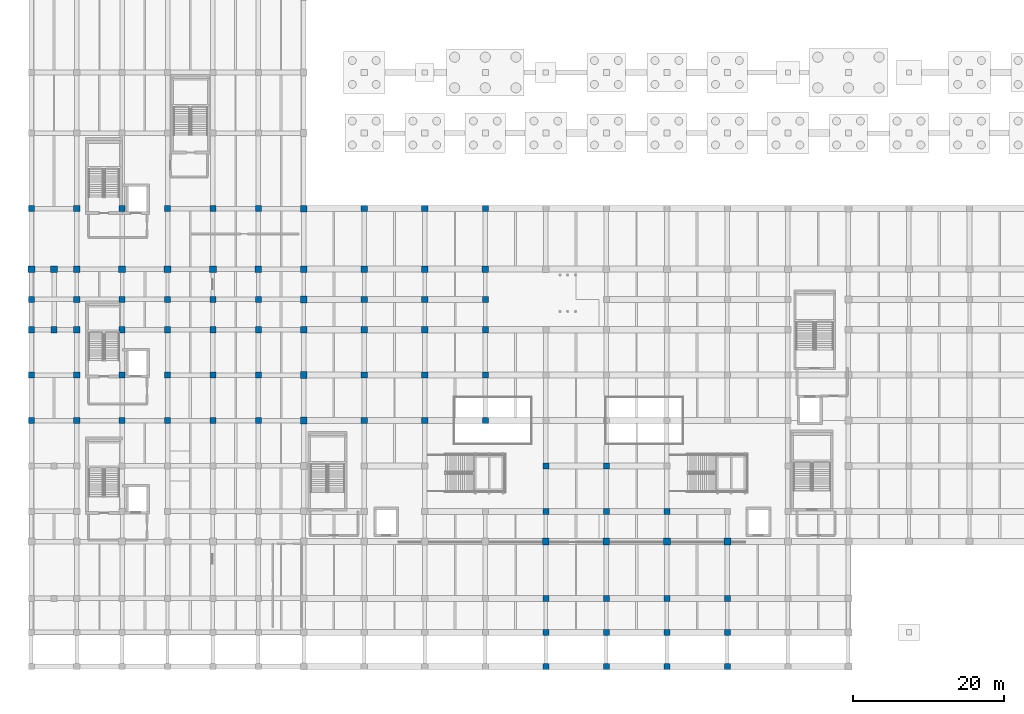
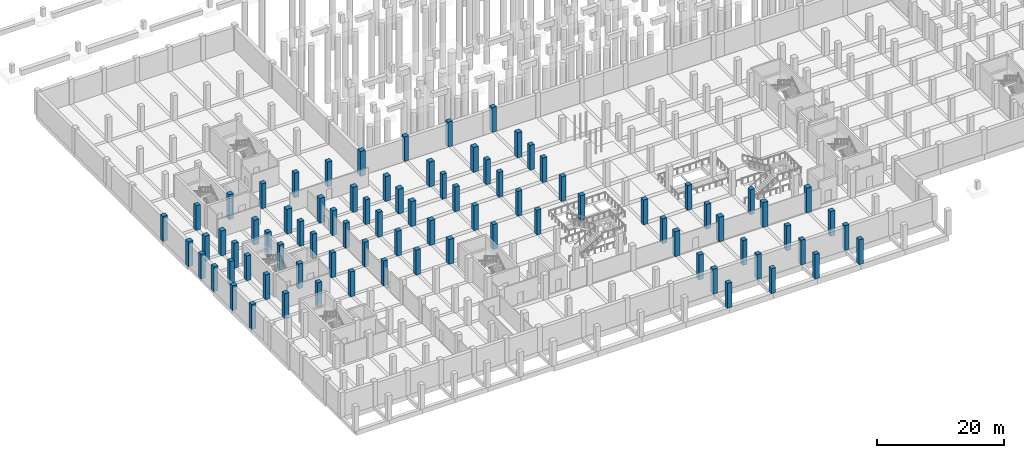
# One storey, part 6 of 36: 83 columns.
"""IFC4 building model written with IfcOpenShell, lengths in metres."""

import ifcopenshell
import ifcopenshell.guid

model = None  # the IFC model being written
_history = None  # IfcOwnerHistory: only IFC2X3 demands one
_inside = {}  # id of a spatial element -> (the spatial element, [elements in it])
_under = {}  # id of a project, library or spatial element -> (it, [spatial elements below it])
_declared = {}  # id of a project -> (the project, [libraries it declares])
_typed = {}  # id of a type object -> (the type object, [elements of that type])
_made_of = {}  # id of a material, layer set ... -> (it, [elements and type objects made of it])


def new_model(schema):
    """Start an empty IFC model of exactly this schema.

    Asked for "IFC4X3", IfcOpenShell would pick the latest addendum, in which some entities
    have other attributes; the version numbers below select the first issue.
    IFC2X3 requires an IfcOwnerHistory on every rooted entity: one is made here for all.
    """
    global model, _history
    if schema == "IFC4X3":
        model = ifcopenshell.file(schema_version=(4, 3, 0, 0))
    else:
        model = ifcopenshell.file(schema=schema)
    _inside.clear()
    _under.clear()
    _declared.clear()
    _typed.clear()
    _made_of.clear()
    _history = None
    if model.schema == "IFC2X3":
        org = make("IfcOrganization", Name="unknown")
        user = make(
            "IfcPersonAndOrganization",
            ThePerson=make("IfcPerson", FamilyName="unknown"),
            TheOrganization=org,
        )
        app = make(
            "IfcApplication",
            ApplicationDeveloper=org,
            Version="unknown",
            ApplicationFullName="unknown",
            ApplicationIdentifier="unknown",
        )
        _history = make(
            "IfcOwnerHistory",
            OwningUser=user,
            OwningApplication=app,
            ChangeAction="ADDED",
            CreationDate=0,
        )
    return model


def make(cls, **values):
    """One entity of the class cls with the attributes given. An attribute that is None is left unset."""
    return model.create_entity(
        cls, **{name: value for name, value in values.items() if value is not None}
    )


def rooted(cls, **values):
    """An entity with a GlobalId (a new one), such as an element, a storey or a relation."""
    return make(cls, GlobalId=ifcopenshell.guid.new(), OwnerHistory=_history, **values)


def si_unit(unit_type, name, prefix=None):
    """IfcSIUnit, for example si_unit("LENGTHUNIT", "METRE", prefix="MILLI")."""
    return make("IfcSIUnit", UnitType=unit_type, Prefix=prefix, Name=name)


def assignment(units):
    """IfcUnitAssignment: the units of a project."""
    return None if units is None else make("IfcUnitAssignment", Units=units)


def point(xyz):
    """IfcCartesianPoint."""
    return None if xyz is None else make("IfcCartesianPoint", Coordinates=xyz)


def direction(xyz):
    """IfcDirection."""
    return None if xyz is None else make("IfcDirection", DirectionRatios=xyz)


def frame(location, z_axis=None, x_axis=None):
    """IfcAxis2Placement3D, a coordinate frame: its origin and axes. An axis left out is left unset."""
    return make(
        "IfcAxis2Placement3D",
        Location=point(location),
        Axis=direction(z_axis),
        RefDirection=direction(x_axis),
    )


def frame_2d(location, x_axis=None):
    """IfcAxis2Placement2D, a coordinate frame in the plane: its origin and x axis."""
    return make(
        "IfcAxis2Placement2D", Location=point(location), RefDirection=direction(x_axis)
    )


def origin():
    """The frame at (0, 0, 0) with its axes left unset."""
    return frame((0.0, 0.0, 0.0))


def origin_2d():
    """The frame at (0, 0) in the plane with its x axis left unset."""
    return frame_2d((0.0, 0.0))


def place(relative_to, where):
    """IfcLocalPlacement: puts the frame where relative to a parent placement (None: the world)."""
    return make(
        "IfcLocalPlacement", PlacementRelTo=relative_to, RelativePlacement=where
    )


def context(
    kind, dimensions, precision=None, world=None, true_north=None, identifier=None
):
    """IfcGeometricRepresentationContext, for example the 3D "Model" context."""
    return make(
        "IfcGeometricRepresentationContext",
        ContextIdentifier=identifier,
        ContextType=kind,
        CoordinateSpaceDimension=dimensions,
        Precision=precision,
        WorldCoordinateSystem=world,
        TrueNorth=true_north,
    )


def subcontext(parent, identifier, kind, view, scale=None):
    """IfcGeometricRepresentationSubContext, for example "Body" below "Model"."""
    return make(
        "IfcGeometricRepresentationSubContext",
        ContextIdentifier=identifier,
        ContextType=kind,
        ParentContext=parent,
        TargetScale=scale,
        TargetView=view,
    )


def project(units=None, contexts=None):
    """IfcProject with its units and contexts."""
    return rooted(
        "IfcProject",
        Name="project",
        RepresentationContexts=contexts,
        UnitsInContext=assignment(units),
    )


def spatial(cls, under=None, at=None, **own):
    """A site, building, storey or space (cls), placed at a placement, below another one or the project."""
    s = rooted(cls, ObjectPlacement=at, **own)
    if under is not None:
        _under.setdefault(under.id(), (under, []))[1].append(s)
    return s


def profile(cls, at=None, kind="AREA", **sizes):
    """A parametric profile (cls). Its sizes go by their IFC names, for example OverallWidth=200.0."""
    return make(cls, ProfileType=kind, Position=at, **sizes)


def rectangle(**sizes):
    """IfcRectangleProfileDef."""
    return profile("IfcRectangleProfileDef", **sizes)


def extrude(swept, where, along, depth):
    """IfcExtrudedAreaSolid: the profile swept, set in the frame where, extruded along a direction by depth."""
    return make(
        "IfcExtrudedAreaSolid",
        SweptArea=swept,
        Position=where,
        ExtrudedDirection=direction(along),
        Depth=depth,
    )


def shape(context_of_items, identifier, shape_type, items):
    """IfcShapeRepresentation: the items that make up one representation, for example the "Body"."""
    return make(
        "IfcShapeRepresentation",
        ContextOfItems=context_of_items,
        RepresentationIdentifier=identifier,
        RepresentationType=shape_type,
        Items=items,
    )


def material(Name=None, Category=None):
    """IfcMaterial."""
    return make("IfcMaterial", Name=Name, Category=Category)


def material_profile(
    of_material, cross_section, Name=None, Category=None, Priority=None
):
    """IfcMaterialProfile: a cross section and its material."""
    return make(
        "IfcMaterialProfile",
        Name=Name,
        Material=of_material,
        Profile=cross_section,
        Priority=Priority,
        Category=Category,
    )


def profile_set(profiles, Name=None, composite=None):
    """IfcMaterialProfileSet."""
    return make(
        "IfcMaterialProfileSet",
        Name=Name,
        MaterialProfiles=profiles,
        CompositeProfile=composite,
    )


def made_of(thing, what):
    """Note that an element or type object is made of a material, layer set ...; save() writes the relation."""
    if what is not None:
        _made_of.setdefault(what.id(), (what, []))[1].append(thing)
    return thing


def type_object(cls, material=None, **own):
    """A type object (cls), such as IfcWallType, which elements share."""
    return made_of(rooted(cls, **own), material)


def element(
    cls,
    number,
    at=None,
    inside=None,
    cuts=None,
    type_object=None,
    material=None,
    context=None,
    identifier="Body",
    shape_type=None,
    held_by="IfcProductDefinitionShape",
    body=None,
    shapes=None,
    **own,
):
    """One element of the class cls, such as IfcWall. Its Tag is "e" and its number.

    at: its placement. inside: the storey or other place that contains it. cuts: it is an
    opening in that element (IfcRelVoidsElement). A single representation is given by context,
    identifier, shape_type and body (its items); several are given by shapes. held_by: the class
    of the entity that holds the representations. save() writes the other relations.
    """
    e = rooted(cls, Tag="e%d" % number, ObjectPlacement=at, **own)
    if body is not None:
        shapes = [shape(context, identifier, shape_type, body)]
    if shapes is not None:
        e.Representation = make(held_by, Representations=shapes)
    if inside is not None:
        _inside.setdefault(inside.id(), (inside, []))[1].append(e)
    if cuts is not None:
        rooted(
            "IfcRelVoidsElement", RelatingBuildingElement=cuts, RelatedOpeningElement=e
        )
    if type_object is not None:
        _typed.setdefault(type_object.id(), (type_object, []))[1].append(e)
    return made_of(e, material)


def aggregate(whole, parts):
    """IfcRelAggregates: a whole, such as a stair, and the parts it consists of."""
    return rooted("IfcRelAggregates", RelatingObject=whole, RelatedObjects=parts)


def save(model, path):
    """Write the relations noted so far, then the file.

    IfcRelAggregates (storeys below a building ...), IfcRelContainedInSpatialStructure (elements
    in a storey), IfcRelDefinesByType, IfcRelAssociatesMaterial and IfcRelDeclares: one each for
    every whole, place, type object, material and project.
    """
    for whole, parts in _under.values():
        aggregate(whole, parts)
    for where, things in _inside.values():
        rooted(
            "IfcRelContainedInSpatialStructure",
            RelatedElements=things,
            RelatingStructure=where,
        )
    for kind, things in _typed.values():
        rooted("IfcRelDefinesByType", RelatedObjects=things, RelatingType=kind)
    for what, things in _made_of.values():
        rooted("IfcRelAssociatesMaterial", RelatedObjects=things, RelatingMaterial=what)
    for by, libraries in _declared.values():
        rooted("IfcRelDeclares", RelatingContext=by, RelatedDefinitions=libraries)
    model.write(path)


model = new_model("IFC4")

# Units and contexts
model_context = context("Model", 3, precision=1e-05, world=origin(), true_north=direction((0.0, 1.0)))
body_context = subcontext(model_context, "Body", "Model", "MODEL_VIEW")
ifc_project = project(units=[si_unit("LENGTHUNIT", "METRE"), si_unit("AREAUNIT", "SQUARE_METRE"), si_unit("VOLUMEUNIT", "CUBIC_METRE"), si_unit("PLANEANGLEUNIT", "RADIAN"), si_unit("MASSUNIT", "GRAM", prefix="KILO")], contexts=[model_context])

# Site, building, storey
site_placement = place(None, origin())
site = spatial("IfcSite", under=ifc_project, at=site_placement, CompositionType="ELEMENT")
building_placement = place(site_placement, origin())
building = spatial("IfcBuilding", under=site, at=building_placement, Name="Verrall Gate Interchange", CompositionType="ELEMENT")
storey_placement = place(building_placement, frame((0.0, 0.0, -4.800048828125)))
storey = spatial("IfcBuildingStorey", under=building, at=storey_placement, Name="B1", CompositionType="ELEMENT", Elevation=-4.800048828125)

# Columns
ifc_material_1 = material(Name="Concrete CSA A23.1 40 MPa (Class N)", Category="concrete")
ifc_material_profile_1 = material_profile(ifc_material_1, rectangle(XDim=0.89990234375, YDim=0.89990234375, at=origin_2d()), Name="RC900x900")
ifc_profile_set_1 = profile_set([ifc_material_profile_1], Name="Concrete CSA A23.1 40 MPa (Class N)")
column_type_1 = type_object("IfcColumnType", Name="C-01 Column RC900x900", PredefinedType="COLUMN", material=ifc_profile_set_1)
for number, where, z_axis, x_axis, name in (
    (1, (0.0, 48.0, 0.0), (0.0, 0.0, 1.0), (1.0, 0.0, 0.0), "B1 Column COL-B1-0066 (C-01)"),
    (2, (3.0, 48.0, 0.0), (0.0, 0.0, 1.0), (1.0, 0.0, 0.0), "B1 Column COL-B1-0123 (C-01)"),
    (3, (6.0, 48.0, 0.0), (0.0, 0.0, 1.0), (1.0, 0.0, 0.0), "B1 Column COL-B1-0209 (C-01)"),
    (4, (12.0, 48.0, 0.0), (0.0, 0.0, 1.0), (1.0, 0.0, 0.0), "B1 Column COL-B1-0326 (C-01)"),
    (5, (18.0, 48.0, 0.0), (0.0, 0.0, 1.0), (1.0, 0.0, 0.0), "B1 Column COL-B1-0443 (C-01)"),
    (6, (24.0, 48.0, 0.0), (0.0, 0.0, 1.0), (1.0, 0.0, 0.0), "B1 Column COL-B1-0560 (C-01)"),
    (7, (30.0, 48.0, 0.0), (0.0, 0.0, 1.0), (1.0, 0.0, 0.0), "B1 Column COL-B1-0677 (C-01)"),
    (8, (36.0, 28.0, 0.0), (0.0, 0.0, 1.0), (1.0, 0.0, 0.0), "B1 Column COL-B1-0755 (C-01)"),
    (9, (36.0, 34.0, 0.0), (0.0, 0.0, 1.0), (1.0, 0.0, 0.0), "B1 Column COL-B1-0763 (C-01)"),
    (10, (36.0, 40.0, 0.0), (0.0, 0.0, 1.0), (1.0, 0.0, 0.0), "B1 Column COL-B1-0771 (C-01)"),
    (11, (36.0, 44.0, 0.0), (0.0, 0.0, 1.0), (1.0, 0.0, 0.0), "B1 Column COL-B1-0779 (C-01)"),
    (12, (36.0, 48.0, 0.0), (0.0, 0.0, 1.0), (1.0, 0.0, 0.0), "B1 Column COL-B1-0787 (C-01)"),
    (13, (36.0, 56.0, 0.0), (0.0, 0.0, 1.0), (1.0, 0.0, 0.0), "B1 Column COL-B1-0795 (C-01)"),
    (14, (44.0, 48.0, 0.0), (0.0, 0.0, 1.0), (1.0, 0.0, 0.0), "B1 Column COL-B1-0855 (C-01)"),
    (15, (52.0, 48.0, 0.0), (0.0, 0.0, 1.0), (1.0, 0.0, 0.0), "B1 Column COL-B1-0893 (C-01)"),
    (16, (60.0, 48.0, 0.0), (0.0, 0.0, 1.0), (1.0, 0.0, 0.0), "B1 Column COL-B1-0929 (C-01)"),
    (17, (68.0, 12.0, 0.0), (0.0, 0.0, 1.0), (1.0, 0.0, 0.0), "B1 Column COL-B1-0947 (C-01)"),
    (18, (76.0, 12.0, 0.0), (0.0, 0.0, 1.0), (1.0, 0.0, 0.0), "B1 Column COL-B1-0981 (C-01)"),
    (19, (84.0, 12.0, 0.0), (0.0, 0.0, 1.0), (1.0, 0.0, 0.0), "B1 Column COL-B1-1019 (C-01)"),
    (20, (92.0, 12.0, 0.0), (0.0, 0.0, 1.0), (1.0, 0.0, 0.0), "B1 Column COL-B1-1057 (C-01)"),
):
    element("IfcColumn", number, at=place(storey_placement, frame(where, z_axis=z_axis, x_axis=x_axis)), inside=storey, type_object=column_type_1, Name=name, PredefinedType="COLUMN", context=body_context, shape_type="SweptSolid", body=[
        extrude(rectangle(XDim=0.89990234375, YDim=0.89990234375, at=origin_2d()), origin(), (0.0, 0.0, 1.0), 4.800048828125),
    ])
ifc_material_2 = material(Name="Concrete CSA A23.1 40 MPa (Class N)", Category="concrete")
ifc_material_profile_2 = material_profile(ifc_material_2, rectangle(XDim=0.800048828125, YDim=0.800048828125, at=origin_2d()), Name="RC800x800")
ifc_profile_set_2 = profile_set([ifc_material_profile_2], Name="Concrete CSA A23.1 40 MPa (Class N)")
column_type_2 = type_object("IfcColumnType", Name="C-02 Column RC800x800", PredefinedType="COLUMN", material=ifc_profile_set_2)
for number, where, z_axis, x_axis, name in (
    (21, (0.0, 28.0, 0.0), (0.0, 0.0, 1.0), (1.0, 0.0, 0.0), "B1 Column COL-B1-0038 (C-02)"),
    (22, (0.0, 34.0, 0.0), (0.0, 0.0, 1.0), (1.0, 0.0, 0.0), "B1 Column COL-B1-0045 (C-02)"),
    (23, (0.0, 40.0, 0.0), (0.0, 0.0, 1.0), (1.0, 0.0, 0.0), "B1 Column COL-B1-0052 (C-02)"),
    (24, (0.0, 44.0, 0.0), (0.0, 0.0, 1.0), (1.0, 0.0, 0.0), "B1 Column COL-B1-0059 (C-02)"),
    (25, (0.0, 56.0, 0.0), (0.0, 0.0, 1.0), (1.0, 0.0, 0.0), "B1 Column COL-B1-0073 (C-02)"),
    (26, (3.0, 40.0, 0.0), (0.0, 0.0, 1.0), (1.0, 0.0, 0.0), "B1 Column COL-B1-0116 (C-02)"),
    (27, (6.0, 28.0, 0.0), (0.0, 0.0, 1.0), (1.0, 0.0, 0.0), "B1 Column COL-B1-0173 (C-02)"),
    (28, (6.0, 34.0, 0.0), (0.0, 0.0, 1.0), (1.0, 0.0, 0.0), "B1 Column COL-B1-0182 (C-02)"),
    (29, (6.0, 40.0, 0.0), (0.0, 0.0, 1.0), (1.0, 0.0, 0.0), "B1 Column COL-B1-0191 (C-02)"),
    (30, (6.0, 44.0, 0.0), (0.0, 0.0, 1.0), (1.0, 0.0, 0.0), "B1 Column COL-B1-0200 (C-02)"),
    (31, (6.0, 56.0, 0.0), (0.0, 0.0, 1.0), (1.0, 0.0, 0.0), "B1 Column COL-B1-0217 (C-02)"),
    (32, (12.0, 28.0, 0.0), (0.0, 0.0, 1.0), (1.0, 0.0, 0.0), "B1 Column COL-B1-0290 (C-02)"),
    (33, (12.0, 34.0, 0.0), (0.0, 0.0, 1.0), (1.0, 0.0, 0.0), "B1 Column COL-B1-0299 (C-02)"),
    (34, (12.0, 40.0, 0.0), (0.0, 0.0, 1.0), (1.0, 0.0, 0.0), "B1 Column COL-B1-0308 (C-02)"),
    (35, (12.0, 44.0, 0.0), (0.0, 0.0, 1.0), (1.0, 0.0, 0.0), "B1 Column COL-B1-0317 (C-02)"),
    (36, (12.0, 56.0, 0.0), (0.0, 0.0, 1.0), (1.0, 0.0, 0.0), "B1 Column COL-B1-0334 (C-02)"),
    (37, (18.0, 28.0, 0.0), (0.0, 0.0, 1.0), (1.0, 0.0, 0.0), "B1 Column COL-B1-0407 (C-02)"),
    (38, (18.0, 34.0, 0.0), (0.0, 0.0, 1.0), (1.0, 0.0, 0.0), "B1 Column COL-B1-0416 (C-02)"),
    (39, (18.0, 40.0, 0.0), (0.0, 0.0, 1.0), (1.0, 0.0, 0.0), "B1 Column COL-B1-0425 (C-02)"),
    (40, (18.0, 44.0, 0.0), (0.0, 0.0, 1.0), (1.0, 0.0, 0.0), "B1 Column COL-B1-0434 (C-02)"),
    (41, (18.0, 56.0, 0.0), (0.0, 0.0, 1.0), (1.0, 0.0, 0.0), "B1 Column COL-B1-0451 (C-02)"),
    (42, (24.0, 28.0, 0.0), (0.0, 0.0, 1.0), (1.0, 0.0, 0.0), "B1 Column COL-B1-0524 (C-02)"),
    (43, (24.0, 34.0, 0.0), (0.0, 0.0, 1.0), (1.0, 0.0, 0.0), "B1 Column COL-B1-0533 (C-02)"),
    (44, (24.0, 40.0, 0.0), (0.0, 0.0, 1.0), (1.0, 0.0, 0.0), "B1 Column COL-B1-0542 (C-02)"),
    (45, (24.0, 44.0, 0.0), (0.0, 0.0, 1.0), (1.0, 0.0, 0.0), "B1 Column COL-B1-0551 (C-02)"),
    (46, (24.0, 56.0, 0.0), (0.0, 0.0, 1.0), (1.0, 0.0, 0.0), "B1 Column COL-B1-0568 (C-02)"),
    (47, (30.0, 28.0, 0.0), (0.0, 0.0, 1.0), (1.0, 0.0, 0.0), "B1 Column COL-B1-0641 (C-02)"),
    (48, (30.0, 34.0, 0.0), (0.0, 0.0, 1.0), (1.0, 0.0, 0.0), "B1 Column COL-B1-0650 (C-02)"),
    (49, (30.0, 40.0, 0.0), (0.0, 0.0, 1.0), (1.0, 0.0, 0.0), "B1 Column COL-B1-0659 (C-02)"),
    (50, (30.0, 44.0, 0.0), (0.0, 0.0, 1.0), (1.0, 0.0, 0.0), "B1 Column COL-B1-0668 (C-02)"),
    (51, (30.0, 56.0, 0.0), (0.0, 0.0, 1.0), (1.0, 0.0, 0.0), "B1 Column COL-B1-0685 (C-02)"),
    (52, (44.0, 28.0, 0.0), (0.0, 0.0, 1.0), (1.0, 0.0, 0.0), "B1 Column COL-B1-0845 (C-02)"),
    (53, (44.0, 34.0, 0.0), (0.0, 0.0, 1.0), (1.0, 0.0, 0.0), "B1 Column COL-B1-0847 (C-02)"),
    (54, (44.0, 40.0, 0.0), (0.0, 0.0, 1.0), (1.0, 0.0, 0.0), "B1 Column COL-B1-0849 (C-02)"),
    (55, (44.0, 44.0, 0.0), (0.0, 0.0, 1.0), (1.0, 0.0, 0.0), "B1 Column COL-B1-0851 (C-02)"),
    (56, (44.0, 56.0, 0.0), (0.0, 0.0, 1.0), (1.0, 0.0, 0.0), "B1 Column COL-B1-0859 (C-02)"),
    (57, (52.0, 28.0, 0.0), (0.0, 0.0, 1.0), (1.0, 0.0, 0.0), "B1 Column COL-B1-0883 (C-02)"),
    (58, (52.0, 34.0, 0.0), (0.0, 0.0, 1.0), (1.0, 0.0, 0.0), "B1 Column COL-B1-0885 (C-02)"),
    (59, (52.0, 40.0, 0.0), (0.0, 0.0, 1.0), (1.0, 0.0, 0.0), "B1 Column COL-B1-0887 (C-02)"),
    (60, (52.0, 44.0, 0.0), (0.0, 0.0, 1.0), (1.0, 0.0, 0.0), "B1 Column COL-B1-0889 (C-02)"),
    (61, (52.0, 56.0, 0.0), (0.0, 0.0, 1.0), (1.0, 0.0, 0.0), "B1 Column COL-B1-0897 (C-02)"),
    (62, (60.0, 28.0, 0.0), (0.0, 0.0, 1.0), (1.0, 0.0, 0.0), "B1 Column COL-B1-0919 (C-02)"),
    (63, (60.0, 34.0, 0.0), (0.0, 0.0, 1.0), (1.0, 0.0, 0.0), "B1 Column COL-B1-0921 (C-02)"),
    (64, (60.0, 40.0, 0.0), (0.0, 0.0, 1.0), (1.0, 0.0, 0.0), "B1 Column COL-B1-0923 (C-02)"),
    (65, (60.0, 44.0, 0.0), (0.0, 0.0, 1.0), (1.0, 0.0, 0.0), "B1 Column COL-B1-0925 (C-02)"),
    (66, (60.0, 56.0, 0.0), (0.0, 0.0, 1.0), (1.0, 0.0, 0.0), "B1 Column COL-B1-0933 (C-02)"),
    (67, (68.0, -4.5, 0.0), (0.0, 0.0, 1.0), (1.0, 0.0, 0.0), "B1 Column COL-B1-0937 (C-02)"),
    (68, (68.0, 0.0, 0.0), (0.0, 0.0, 1.0), (1.0, 0.0, 0.0), "B1 Column COL-B1-0939 (C-02)"),
    (69, (68.0, 4.5, 0.0), (0.0, 0.0, 1.0), (1.0, 0.0, 0.0), "B1 Column COL-B1-0943 (C-02)"),
    (70, (68.0, 16.0, 0.0), (0.0, 0.0, 1.0), (1.0, 0.0, 0.0), "B1 Column COL-B1-0951 (C-02)"),
    (71, (68.0, 22.0, 0.0), (0.0, 0.0, 1.0), (1.0, 0.0, 0.0), "B1 Column COL-B1-0955 (C-02)"),
    (72, (76.0, -4.5, 0.0), (0.0, 0.0, 1.0), (1.0, 0.0, 0.0), "B1 Column COL-B1-0971 (C-02)"),
    (73, (76.0, 0.0, 0.0), (0.0, 0.0, 1.0), (1.0, 0.0, 0.0), "B1 Column COL-B1-0973 (C-02)"),
    (74, (76.0, 4.5, 0.0), (0.0, 0.0, 1.0), (1.0, 0.0, 0.0), "B1 Column COL-B1-0977 (C-02)"),
    (75, (76.0, 16.0, 0.0), (0.0, 0.0, 1.0), (1.0, 0.0, 0.0), "B1 Column COL-B1-0985 (C-02)"),
    (76, (76.0, 22.0, 0.0), (0.0, 0.0, 1.0), (1.0, 0.0, 0.0), "B1 Column COL-B1-0989 (C-02)"),
    (77, (84.0, -4.5, 0.0), (0.0, 0.0, 1.0), (1.0, 0.0, 0.0), "B1 Column COL-B1-1009 (C-02)"),
    (78, (84.0, 0.0, 0.0), (0.0, 0.0, 1.0), (1.0, 0.0, 0.0), "B1 Column COL-B1-1011 (C-02)"),
    (79, (84.0, 4.5, 0.0), (0.0, 0.0, 1.0), (1.0, 0.0, 0.0), "B1 Column COL-B1-1015 (C-02)"),
    (80, (84.0, 16.0, 0.0), (0.0, 0.0, 1.0), (1.0, 0.0, 0.0), "B1 Column COL-B1-1023 (C-02)"),
    (81, (92.0, -4.5, 0.0), (0.0, 0.0, 1.0), (1.0, 0.0, 0.0), "B1 Column COL-B1-1047 (C-02)"),
    (82, (92.0, 0.0, 0.0), (0.0, 0.0, 1.0), (1.0, 0.0, 0.0), "B1 Column COL-B1-1049 (C-02)"),
    (83, (92.0, 4.5, 0.0), (0.0, 0.0, 1.0), (1.0, 0.0, 0.0), "B1 Column COL-B1-1053 (C-02)"),
):
    element("IfcColumn", number, at=place(storey_placement, frame(where, z_axis=z_axis, x_axis=x_axis)), inside=storey, type_object=column_type_2, Name=name, PredefinedType="COLUMN", context=body_context, shape_type="SweptSolid", body=[
        extrude(rectangle(XDim=0.800048828125, YDim=0.800048828125, at=origin_2d()), origin(), (0.0, 0.0, 1.0), 4.800048828125),
    ])

save(model, "model.ifc")
